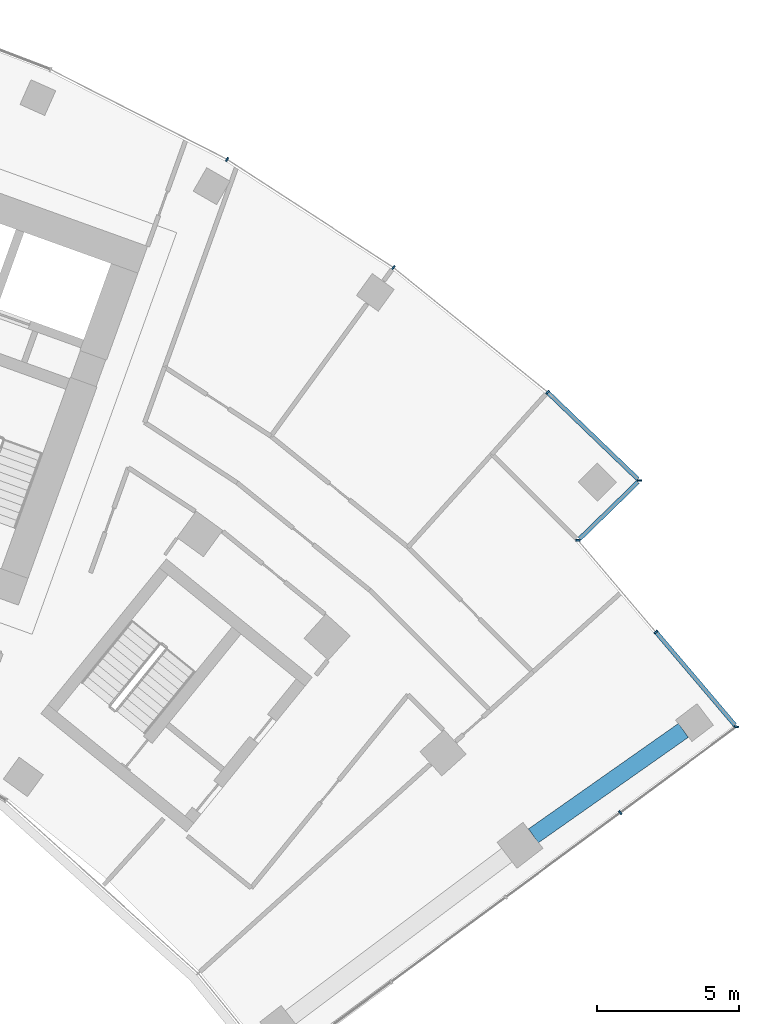
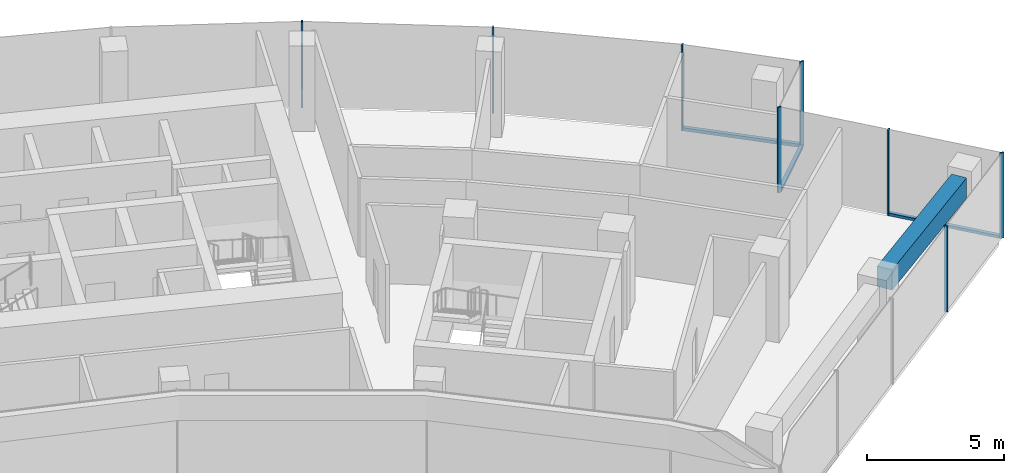
# One storey, part 8 of 20: 11 members, 1 beam, 4 elements without a shape of their own.
"""IFC4 building model written with IfcOpenShell, lengths in metres."""

from ifc_helpers import new_model, si_unit, direction, frame, origin, origin_2d, place, context, subcontext, project, spatial, rectangle, extrude, material, layer, layer_set, material_profile, profile_set, type_object, element, aggregate, save


model = new_model("IFC4")

# Units and contexts
model_context = context("Model", 3, precision=1e-05, world=origin(), true_north=direction((0.0, 1.0)))
body_context = subcontext(model_context, "Body", "Model", "MODEL_VIEW")
ifc_project = project(units=[si_unit("LENGTHUNIT", "METRE"), si_unit("AREAUNIT", "SQUARE_METRE"), si_unit("VOLUMEUNIT", "CUBIC_METRE"), si_unit("PLANEANGLEUNIT", "RADIAN"), si_unit("MASSUNIT", "GRAM", prefix="KILO")], contexts=[model_context])

# Site, building, storey
site_placement = place(None, origin())
site = spatial("IfcSite", under=ifc_project, at=site_placement, CompositionType="ELEMENT")
building_placement = place(site_placement, origin())
building = spatial("IfcBuilding", under=site, at=building_placement, Name="Stone Belt Terrace Tower", CompositionType="ELEMENT")
storey_placement = place(building_placement, frame((0.0, 0.0, 216.199951171875)))
storey = spatial("IfcBuildingStorey", under=building, at=storey_placement, Name="L52", CompositionType="ELEMENT", Elevation=216.199951171875)

# Curtain wall, members
ifc_material_1 = material(Name="Aluminium 6063-T6 anodised frame", Category="aluminium")
ifc_layer_1 = layer(ifc_material_1, 0.14990234375)
ifc_layer_set_1 = layer_set([ifc_layer_1], Name="CW-A unitised convex-face curtain wall")
curtain_wall_type_1 = type_object("IfcCurtainWallType", Name="CW-A unitised convex-face curtain wall", PredefinedType="NOTDEFINED", material=ifc_layer_set_1)
curtain_wall_1_placement = place(storey_placement, origin())
curtain_wall_1 = element("IfcCurtainWall", 1, at=curtain_wall_1_placement, inside=storey, type_object=curtain_wall_type_1, Name="CW-A convex face L52", PredefinedType="NOTDEFINED")
ifc_material_profile_1 = material_profile(ifc_material_1, rectangle(XDim=0.14990234375, YDim=0.06005859375, at=origin_2d()), Name="Aluminium 6063-T6 60x150")
ifc_profile_set_1 = profile_set([ifc_material_profile_1], Name="Aluminium 6063-T6 anodised frame")
member_type_1 = type_object("IfcMemberType", Name="CW-A mullion 60 x 150", PredefinedType="MULLION", material=ifc_profile_set_1)
member_1_placement = place(storey_placement, frame((47.775390625, 46.369140625, 0.0), z_axis=(0.0, 0.0, 1.0), x_axis=(-0.999996264646, -0.002733257028, 0.0)))
member_1 = element("IfcMember", 2, at=member_1_placement, type_object=member_type_1, Name="CW-A mullion 1", PredefinedType="MULLION", context=body_context, shape_type="SweptSolid", body=[
    extrude(rectangle(XDim=0.14990234375, YDim=0.06005859375, at=origin_2d()), origin(), (0.0, 0.0, 1.0), 3.800048828125),
])
member_2_placement = place(storey_placement, frame((44.546875, 49.475341796875, 0.0), z_axis=(0.0, 0.0, 1.0), x_axis=(-0.661937409618, -0.749559114245, 0.0)))
member_2 = element("IfcMember", 3, at=member_2_placement, type_object=member_type_1, Name="CW-A mullion 2", PredefinedType="MULLION", context=body_context, shape_type="SweptSolid", body=[
    extrude(rectangle(XDim=0.14990234375, YDim=0.06005859375, at=origin_2d()), origin(), (0.0, 0.0, 1.0), 3.800048828125),
])
member_3_placement = place(storey_placement, frame((39.1318359375, 53.8603515625, 0.0), z_axis=(0.0, 0.0, 1.0), x_axis=(-0.587785252292, -0.809016994375, 0.0)))
member_3 = element("IfcMember", 4, at=member_3_placement, type_object=member_type_1, Name="CW-A mullion 3", PredefinedType="MULLION", context=body_context, shape_type="SweptSolid", body=[
    extrude(rectangle(XDim=0.14990234375, YDim=0.06005859375, at=origin_2d()), origin(), (0.0, 0.0, 1.0), 3.800048828125),
])
member_4_placement = place(storey_placement, frame((33.28759765625, 57.65576171875, 0.0), z_axis=(0.0, 0.0, 1.0), x_axis=(-0.5, -0.866025403784, 0.0)))
member_4 = element("IfcMember", 5, at=member_4_placement, type_object=member_type_1, Name="CW-A mullion 4", PredefinedType="MULLION", context=body_context, shape_type="SweptSolid", body=[
    extrude(rectangle(XDim=0.14990234375, YDim=0.06005859375, at=origin_2d()), origin(), (0.0, 0.0, 1.0), 3.800048828125),
])
ifc_material_profile_2 = material_profile(ifc_material_1, rectangle(XDim=0.14990234375, YDim=0.139892578125, at=origin_2d()), Name="Aluminium 6063-T6 150x140")
ifc_profile_set_2 = profile_set([ifc_material_profile_2], Name="Aluminium 6063-T6 anodised frame")
member_type_2 = type_object("IfcMemberType", Name="CW-A transom 140 x 150", PredefinedType="USERDEFINED", material=ifc_profile_set_2)
member_5_placement = place(storey_placement, frame((47.721435546875, 46.4208984375, 0.070068359375), z_axis=(-0.720600183576, 0.693350831419, 0.0), x_axis=(-0.693350831419, -0.720600183576, 0.0)))
member_5 = element("IfcMember", 6, at=member_5_placement, type_object=member_type_2, Name="CW-A transom 1.1", ObjectType="TRANSOM", PredefinedType="USERDEFINED", context=body_context, shape_type="SweptSolid", body=[
    extrude(rectangle(XDim=0.14990234375, YDim=0.139892578125, at=origin_2d()), origin(), (0.0, 0.0, 1.0), 4.372314453125),
])
aggregate(curtain_wall_1, [member_1, member_2, member_3, member_4, member_5])

# Curtain wall, member
ifc_layer_2 = layer(ifc_material_1, 0.14990234375)
ifc_layer_set_2 = layer_set([ifc_layer_2], Name="CW-C stick curtain wall, horn ends and notches")
curtain_wall_type_2 = type_object("IfcCurtainWallType", Name="CW-C stick curtain wall, horn ends and notches", PredefinedType="NOTDEFINED", material=ifc_layer_set_2)
curtain_wall_2_placement = place(storey_placement, origin())
curtain_wall_2 = element("IfcCurtainWall", 7, at=curtain_wall_2_placement, inside=storey, type_object=curtain_wall_type_2, Name="CW-C end face L52", PredefinedType="NOTDEFINED")
ifc_material_profile_3 = material_profile(ifc_material_1, rectangle(XDim=0.14990234375, YDim=0.06005859375, at=origin_2d()), Name="Aluminium 6063-T6 60x150")
ifc_profile_set_3 = profile_set([ifc_material_profile_3], Name="Aluminium 6063-T6 anodised frame")
member_type_3 = type_object("IfcMemberType", Name="CW-C mullion 60 x 150", PredefinedType="MULLION", material=ifc_profile_set_3)
member_6_placement = place(storey_placement, frame((47.097900390625, 34.699462890625, 0.0), z_axis=(0.0, 0.0, 1.0), x_axis=(-0.594184091865, 0.804329077539, 0.0)))
member_6 = element("IfcMember", 8, at=member_6_placement, type_object=member_type_3, Name="CW-C mullion 4", PredefinedType="MULLION", context=body_context, shape_type="SweptSolid", body=[
    extrude(rectangle(XDim=0.14990234375, YDim=0.06005859375, at=origin_2d()), origin(), (0.0, 0.0, 1.0), 3.800048828125),
])
aggregate(curtain_wall_2, [member_6])

# Curtain wall, members
curtain_wall_3_placement = place(storey_placement, origin())
curtain_wall_3 = element("IfcCurtainWall", 9, at=curtain_wall_3_placement, inside=storey, type_object=curtain_wall_type_2, Name="CW-C notch face L52", PredefinedType="NOTDEFINED")
member_7_placement = place(storey_placement, frame((51.18408203125, 37.718017578125, 0.0), z_axis=(0.0, 0.0, 1.0), x_axis=(-0.993358853918, 0.115057321987, 0.0)))
member_7 = element("IfcMember", 10, at=member_7_placement, type_object=member_type_3, Name="CW-C mullion 1", PredefinedType="MULLION", context=body_context, shape_type="SweptSolid", body=[
    extrude(rectangle(XDim=0.14990234375, YDim=0.06005859375, at=origin_2d()), origin(), (0.0, 0.0, 1.0), 3.800048828125),
])
member_8_placement = place(storey_placement, frame((48.35302734375, 41.052490234375, 0.0), z_axis=(0.0, 0.0, 1.0), x_axis=(-0.762310954743, -0.647210945735, 0.0)))
member_8 = element("IfcMember", 11, at=member_8_placement, type_object=member_type_3, Name="CW-C mullion 2", PredefinedType="MULLION", context=body_context, shape_type="SweptSolid", body=[
    extrude(rectangle(XDim=0.14990234375, YDim=0.06005859375, at=origin_2d()), origin(), (0.0, 0.0, 1.0), 3.800048828125),
])

# Curtain wall, member
curtain_wall_4_placement = place(storey_placement, origin())
curtain_wall_4 = element("IfcCurtainWall", 12, at=curtain_wall_4_placement, inside=storey, type_object=curtain_wall_type_2, Name="CW-C notch face L52", PredefinedType="NOTDEFINED")
member_9_placement = place(storey_placement, frame((45.61962890625, 44.27197265625, 0.0), z_axis=(0.0, 0.0, 1.0), x_axis=(-0.998865261612, 0.047625509398, 0.0)))
member_9 = element("IfcMember", 13, at=member_9_placement, type_object=member_type_3, Name="CW-C mullion 1", PredefinedType="MULLION", context=body_context, shape_type="SweptSolid", body=[
    extrude(rectangle(XDim=0.14990234375, YDim=0.06005859375, at=origin_2d()), origin(), (0.0, 0.0, 1.0), 3.800048828125),
])

# Member
ifc_material_profile_4 = material_profile(ifc_material_1, rectangle(XDim=0.14990234375, YDim=0.1201171875, at=origin_2d()), Name="Aluminium 6063-T6 150x120")
ifc_profile_set_4 = profile_set([ifc_material_profile_4], Name="Aluminium 6063-T6 anodised frame")
member_type_4 = type_object("IfcMemberType", Name="CW-C transom 120 x 150", PredefinedType="USERDEFINED", material=ifc_profile_set_4)
member_10_placement = place(storey_placement, frame((51.13525390625, 37.775390625, 0.06005859375), z_axis=(-0.647195078608, 0.762324425836, 0.0), x_axis=(-0.762324425836, -0.647195078608, 0.0)))
member_10 = element("IfcMember", 14, at=member_10_placement, type_object=member_type_4, Name="CW-C transom 1.1", ObjectType="TRANSOM", PredefinedType="USERDEFINED", context=body_context, shape_type="SweptSolid", body=[
    extrude(rectangle(XDim=0.14990234375, YDim=0.1201171875, at=origin_2d()), origin(), (0.0, 0.0, 1.0), 4.268798828125),
])

aggregate(curtain_wall_3, [member_7, member_8, member_10])

member_11_placement = place(storey_placement, frame((45.671875, 44.322998046875, 0.06005859375), z_axis=(0.716814728684, 0.697263683797, 0.0), x_axis=(-0.697263683797, 0.716814728684, 0.0)))
member_11 = element("IfcMember", 15, at=member_11_placement, type_object=member_type_4, Name="CW-C transom 1.1", ObjectType="TRANSOM", PredefinedType="USERDEFINED", context=body_context, shape_type="SweptSolid", body=[
    extrude(rectangle(XDim=0.14990234375, YDim=0.1201171875, at=origin_2d()), origin(), (0.0, 0.0, 1.0), 2.859619140625),
])

aggregate(curtain_wall_4, [member_9, member_11])

# Beam
ifc_material_2 = material(Name="Concrete B60", Category="concrete")
ifc_material_profile_5 = material_profile(ifc_material_2, rectangle(XDim=0.60009765625, YDim=0.89990234375, at=origin_2d()), Name="RC 600x900")
ifc_profile_set_5 = profile_set([ifc_material_profile_5], Name="Concrete B60")
beam_type = type_object("IfcBeamType", Name="Edge beam RC 600x900 B60", PredefinedType="SPANDREL", material=ifc_profile_set_5)
beam_placement = place(storey_placement, frame((44.049560546875, 33.885498046875, 3.030029296875), z_axis=(0.817996569297, 0.575223098126, 0.0), x_axis=(-0.575223098126, 0.817996569297, 0.0)))
element("IfcBeam", 16, at=beam_placement, inside=storey, type_object=beam_type, Name="Edge beam L52 B Q to R", PredefinedType="SPANDREL", context=body_context, shape_type="SweptSolid", body=[
    extrude(rectangle(XDim=0.60009765625, YDim=0.89990234375, at=origin_2d()), origin(), (0.0, 0.0, 1.0), 6.444091796875),
])

save(model, "model.ifc")
